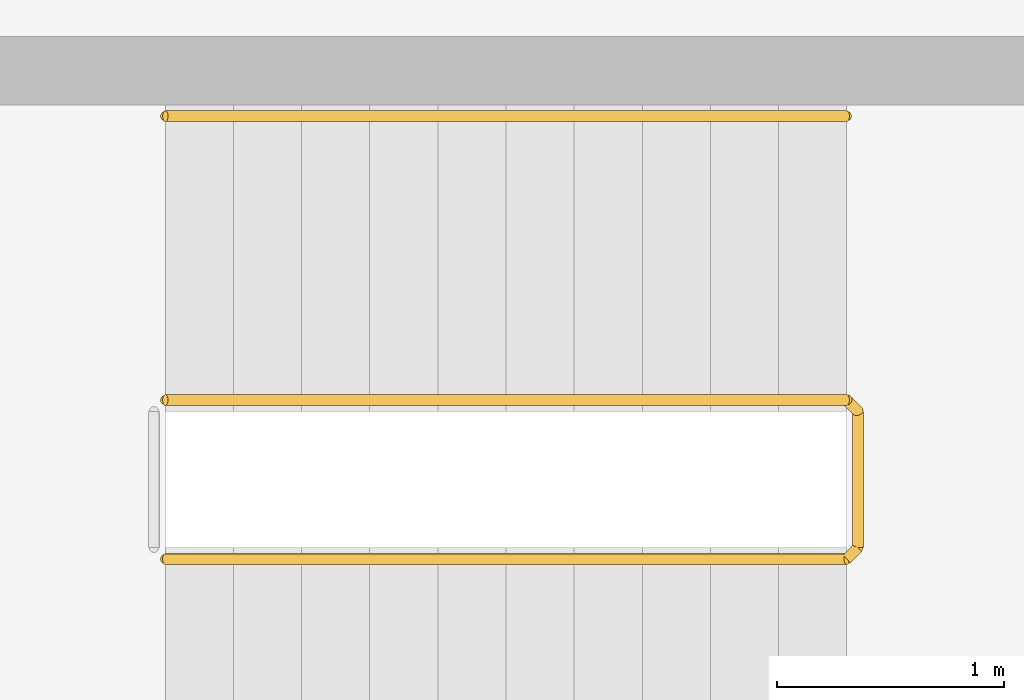
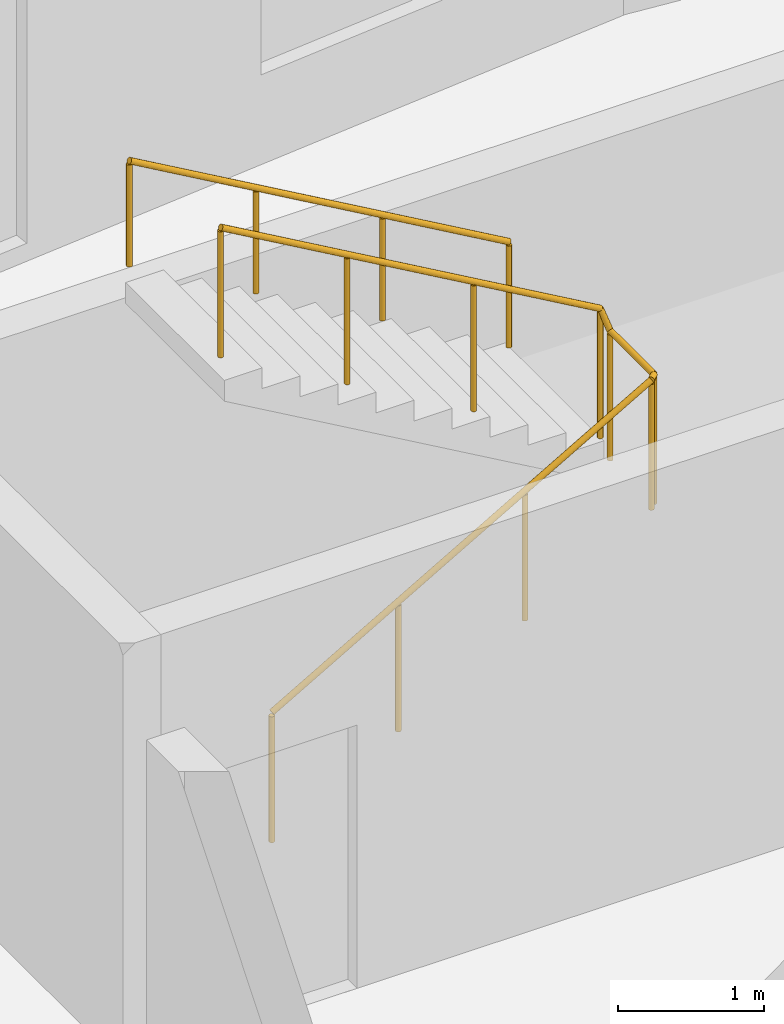
# One storey, part 12 of 12: 2 railings.
"""IFC4 building model written with IfcOpenShell, lengths in metres."""

from ifc_helpers import new_model, si_unit, direction, frame, origin, origin_2d, place, context, subcontext, project, spatial, circle, extrude, material, type_object, element, save


model = new_model("IFC4")

# Units and contexts
model_context = context("Model", 3, precision=1e-05, world=origin(), true_north=direction((0.0, 1.0)))
body_context = subcontext(model_context, "Body", "Model", "MODEL_VIEW")
ifc_project = project(units=[si_unit("LENGTHUNIT", "METRE"), si_unit("AREAUNIT", "SQUARE_METRE"), si_unit("VOLUMEUNIT", "CUBIC_METRE"), si_unit("PLANEANGLEUNIT", "RADIAN"), si_unit("MASSUNIT", "GRAM", prefix="KILO")], contexts=[model_context])

# Site, building, storey
site_placement = place(None, origin())
site = spatial("IfcSite", under=ifc_project, at=site_placement, CompositionType="ELEMENT")
building_placement = place(site_placement, origin())
building = spatial("IfcBuilding", under=site, at=building_placement, Name="Brondeck Convention Tower", CompositionType="ELEMENT")
storey_placement = place(building_placement, frame((0.0, 0.0, 88.5)))
storey = spatial("IfcBuildingStorey", under=building, at=storey_placement, Name="L20", CompositionType="ELEMENT", Elevation=88.5)

# Railings
ifc_material = material(Name="Steel S355", Category="steel")
railing_type_1 = type_object("IfcRailingType", Name="Stair guard 1100", PredefinedType="GUARDRAIL", material=ifc_material)
railing_1_placement = place(storey_placement, frame((37.85009765625, 55.449951171875, 0.172607421875)))
element("IfcRailing", 1, at=railing_1_placement, inside=storey, type_object=railing_type_1, Name="L20 ST-AE stair guard 1", PredefinedType="GUARDRAIL", context=body_context, shape_type="SweptSolid", body=[
    extrude(circle(Radius=0.02392578125, at=origin_2d()), frame((0.0, 0.0, 1.076171875), z_axis=(0.866619684472, 0.0, 0.498969260062), x_axis=(0.0, 1.0, 0.0)), (0.0, 0.0, 1.0), 3.461669921875),
    extrude(circle(Radius=0.02392578125, at=origin_2d()), frame((3.0, 0.0, 2.80322265625), z_axis=(0.705375805398, 0.708833529934, 0.0), x_axis=(-0.708833529934, 0.705375805398, 0.0)), (0.0, 0.0, 1.0), 0.070556640625),
    extrude(circle(Radius=0.02392578125, at=origin_2d()), frame((3.0498046875, 0.050048828125, 2.80322265625), z_axis=(0.0, 1.0, 0.0), x_axis=(-1.0, 0.0, 0.0)), (0.0, 0.0, 1.0), 0.60009765625),
    extrude(circle(Radius=0.02392578125, at=origin_2d()), frame((3.0498046875, 0.650146484375, 2.80322265625), z_axis=(-0.266832911964, 0.266832911964, 0.926067165051), x_axis=(-0.707106781187, -0.707106781187, 0.0)), (0.0, 0.0, 1.0), 0.186767578125),
    extrude(circle(Radius=0.02392578125, at=origin_2d()), frame((3.0, 0.699951171875, 2.97607421875), z_axis=(-0.866619684472, 0.0, 0.498969260062), x_axis=(0.0, -1.0, 0.0)), (0.0, 0.0, 1.0), 3.461669921875),
    extrude(circle(Radius=0.02099609375, at=origin_2d()), origin(), (0.0, 0.0, 1.0), 1.052001953125),
    extrude(circle(Radius=0.02099609375, at=origin_2d()), frame((1.0, 0.0, 0.57568359375)), (0.0, 0.0, 1.0), 1.052001953125),
    extrude(circle(Radius=0.02099609375, at=origin_2d()), frame((2.0, 0.0, 1.151611328125)), (0.0, 0.0, 1.0), 1.052001953125),
    extrude(circle(Radius=0.02099609375, at=origin_2d()), frame((3.0, 0.0, 1.727294921875)), (0.0, 0.0, 1.0), 1.052001953125),
    extrude(circle(Radius=0.02099609375, at=origin_2d()), frame((3.0498046875, 0.050048828125, 1.727294921875)), (0.0, 0.0, 1.0), 1.052001953125),
    extrude(circle(Radius=0.02099609375, at=origin_2d()), frame((3.0498046875, 0.650146484375, 1.727294921875)), (0.0, 0.0, 1.0), 1.052001953125),
    extrude(circle(Radius=0.02099609375, at=origin_2d()), frame((3.0, 0.699951171875, 1.900146484375)), (0.0, 0.0, 1.0), 1.052001953125),
    extrude(circle(Radius=0.02099609375, at=origin_2d()), frame((2.0, 0.699951171875, 2.475830078125)), (0.0, 0.0, 1.0), 1.052001953125),
    extrude(circle(Radius=0.02099609375, at=origin_2d()), frame((1.0, 0.699951171875, 3.0517578125)), (0.0, 0.0, 1.0), 1.052001953125),
    extrude(circle(Radius=0.02099609375, at=origin_2d()), frame((0.0, 0.699951171875, 3.62744140625)), (0.0, 0.0, 1.0), 1.052001953125),
])
railing_type_2 = type_object("IfcRailingType", Name="Stair handrail", PredefinedType="HANDRAIL", material=ifc_material)
railing_2_placement = place(storey_placement, frame((40.85009765625, 57.39990234375, 2.07275390625)))
element("IfcRailing", 2, at=railing_2_placement, inside=storey, type_object=railing_type_2, Name="L20 ST-AE stair handrail 2", PredefinedType="HANDRAIL", context=body_context, shape_type="SweptSolid", body=[
    extrude(circle(Radius=0.02392578125, at=origin_2d()), frame((0.0, 0.0, 0.8759765625), z_axis=(-0.866619684472, 0.0, 0.498969260062), x_axis=(0.0, -1.0, 0.0)), (0.0, 0.0, 1.0), 3.461669921875),
    extrude(circle(Radius=0.02099609375, at=origin_2d()), origin(), (0.0, 0.0, 1.0), 0.851806640625),
    extrude(circle(Radius=0.02099609375, at=origin_2d()), frame((-1.0, 0.0, 0.57568359375)), (0.0, 0.0, 1.0), 0.851806640625),
    extrude(circle(Radius=0.02099609375, at=origin_2d()), frame((-2.0, 0.0, 1.151611328125)), (0.0, 0.0, 1.0), 0.851806640625),
    extrude(circle(Radius=0.02099609375, at=origin_2d()), frame((-3.0, 0.0, 1.727294921875)), (0.0, 0.0, 1.0), 0.851806640625),
])

save(model, "model.ifc")
